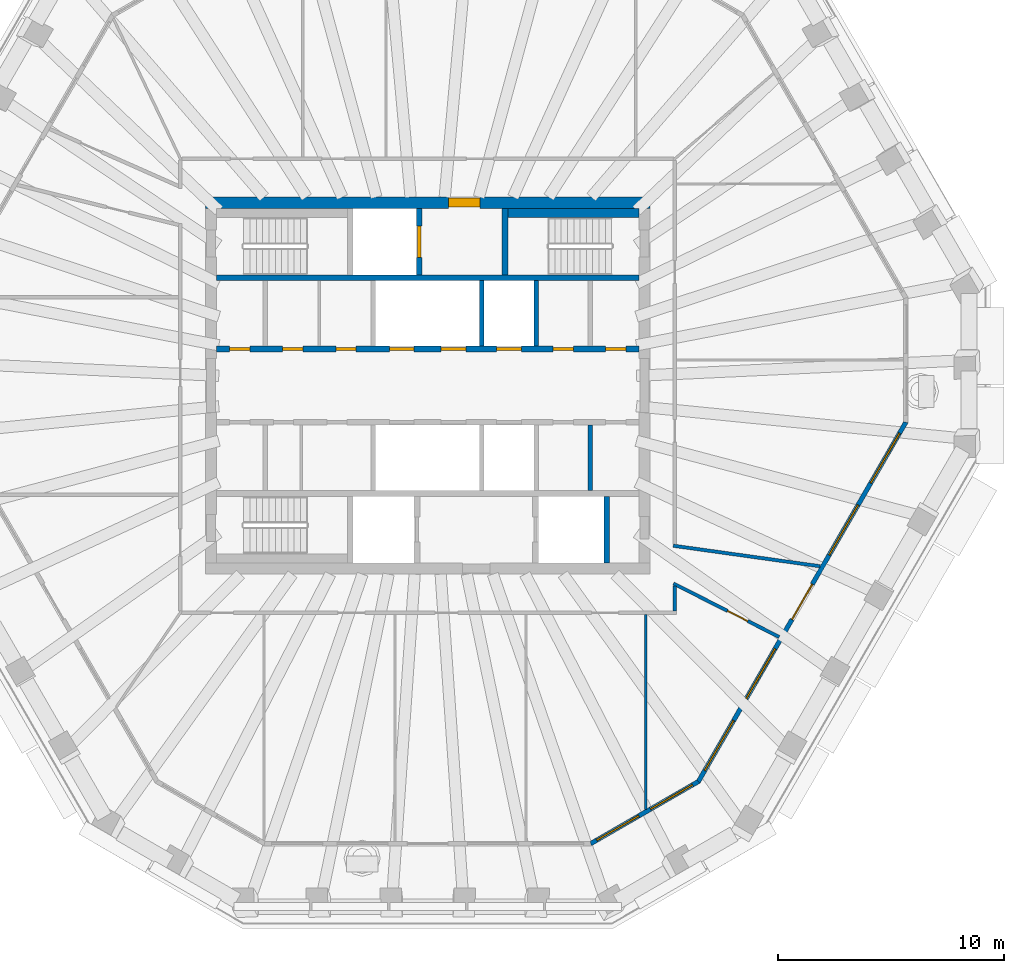
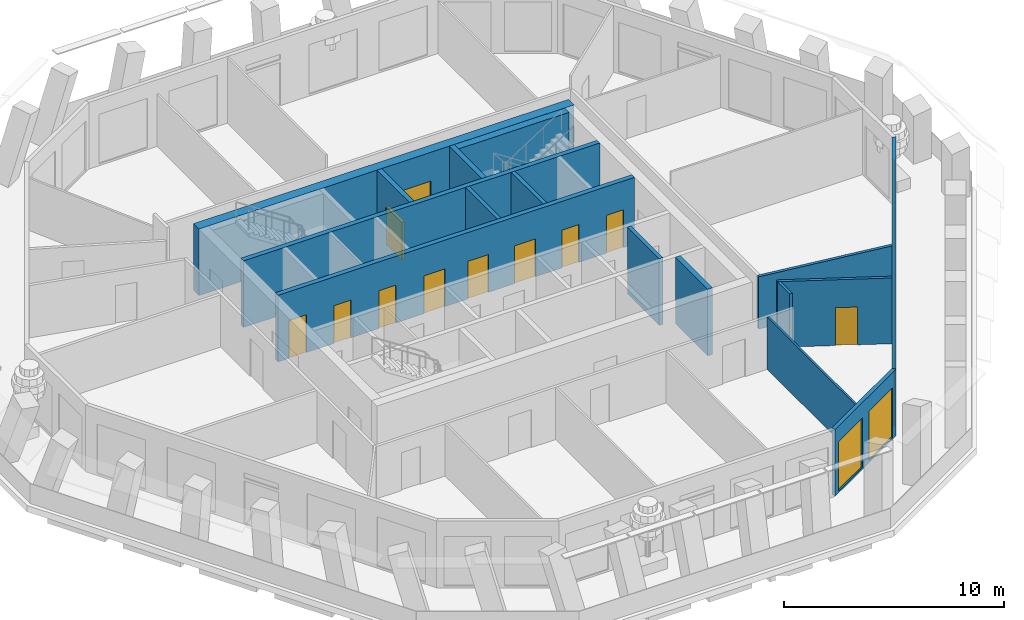
# One storey, part 5 of 11: 16 walls, 12 doors, 7 windows, 19 openings.
"""IFC4 building model written with IfcOpenShell, lengths in metres."""

from ifc_helpers import new_model, si_unit, direction, frame, frame_2d, origin, place, context, subcontext, project, spatial, polyline, rectangle, outline, extrude, material, layer, layer_set, type_object, element, fill, save


model = new_model("IFC4")

# Units and contexts
model_context = context("Model", 3, precision=1e-05, world=origin(), true_north=direction((0.0, 1.0)))
body_context = subcontext(model_context, "Body", "Model", "MODEL_VIEW")
ifc_project = project(units=[si_unit("LENGTHUNIT", "METRE"), si_unit("AREAUNIT", "SQUARE_METRE"), si_unit("VOLUMEUNIT", "CUBIC_METRE"), si_unit("PLANEANGLEUNIT", "RADIAN"), si_unit("MASSUNIT", "GRAM", prefix="KILO")], contexts=[model_context])

# Site, building, storey
site_placement = place(None, origin())
site = spatial("IfcSite", under=ifc_project, at=site_placement, CompositionType="ELEMENT")
building_placement = place(site_placement, origin())
building = spatial("IfcBuilding", under=site, at=building_placement, Name="Frailejon Research Tower", CompositionType="ELEMENT")
storey_placement = place(building_placement, frame((0.0, 0.0, 299.0)))
storey = spatial("IfcBuildingStorey", under=building, at=storey_placement, Name="L66", CompositionType="ELEMENT", Elevation=299.0)

# Wall, opening, door
ifc_material_1 = material(Name="Concrete C50/60", Category="concrete")
ifc_layer_1 = layer(ifc_material_1, 0.5)
ifc_layer_set_1 = layer_set([ifc_layer_1], Name="Core shear wall 500 C50/60")
wall_type_1 = type_object("IfcWallType", Name="Core shear wall 500 C50/60", PredefinedType="SHEAR", material=ifc_layer_set_1)
wall_1_placement = place(storey_placement, frame((-9.85009765625, 8.10009765625, 0.0), z_axis=(0.0, 0.0, 1.0), x_axis=(1.0, 0.0, 0.0)))
wall_1 = element("IfcWall", 1, at=wall_1_placement, inside=storey, type_object=wall_type_1, Name="Core shear wall", PredefinedType="SHEAR", context=body_context, shape_type="SweptSolid", body=[
    extrude(rectangle(XDim=19.7001953125, YDim=0.5, at=frame_2d((9.85009765625, 0.0))), origin(), (0.0, 0.0, 1.0), 3.699951171875),
])
opening_1_placement = place(wall_1_placement, frame((10.77490234375, 0.0, 0.0)))
opening_1 = element("IfcOpeningElement", 2, at=opening_1_placement, cuts=wall_1, Name="Opening D9", PredefinedType="OPENING", context=body_context, shape_type="SweptSolid", body=[
    extrude(rectangle(XDim=1.39990234375, YDim=2.10009765625, at=frame_2d((0.699951171875, 1.050048828125))), frame((0.0, 0.260009765625, 0.0), z_axis=(0.0, -1.0, 0.0), x_axis=(1.0, 0.0, 0.0)), (0.0, 0.0, 1.0), 0.52001953125),
])
ifc_material_2 = material(Name="Steel", Category="steel")
door_type_1 = type_object("IfcDoorType", Name="Goods lobby door", OperationType="DOUBLE_DOOR_SINGLE_SWING", PredefinedType="DOOR", material=ifc_material_2)
door_1_placement = place(opening_1_placement, origin())
door_1 = element("IfcDoor", 3, at=door_1_placement, inside=storey, type_object=door_type_1, Name="Goods lobby door", OperationType="DOUBLE_DOOR_SINGLE_SWING", OverallHeight=2.10009765625, OverallWidth=1.39990234375, PredefinedType="DOOR", context=body_context, shape_type="SweptSolid", body=[
    extrude(rectangle(XDim=1.39990234375, YDim=2.10009765625, at=frame_2d((0.699951171875, 1.050048828125))), frame((0.0, 0.199951171875, 0.0), z_axis=(0.0, -1.0, 0.0), x_axis=(1.0, 0.0, 0.0)), (0.0, 0.0, 1.0), 0.39990234375),
])
fill(opening_1, door_1)

# Wall
ifc_material_3 = material(Name="Gypsum board and masonry partition", Category="masonry")
ifc_layer_2 = layer(ifc_material_3, 0.14990234375)
ifc_layer_set_2 = layer_set([ifc_layer_2], Name="Corridor wall EI 60, gypsum on steel studs 150")
wall_type_2 = type_object("IfcWallType", Name="Corridor wall EI 60, gypsum on steel studs 150", PredefinedType="PARTITIONING", material=ifc_layer_set_2)
wall_2_placement = place(storey_placement, frame((10.949951171875, -9.97509765625, 0.0), z_axis=(0.0, 0.0, 1.0), x_axis=(0.0, 1.0, 0.0)))
element("IfcWall", 4, at=wall_2_placement, inside=storey, type_object=wall_type_2, Name="T:IW:L66:003", PredefinedType="PARTITIONING", context=body_context, shape_type="SweptSolid", body=[
    extrude(rectangle(XDim=1.10009765625, YDim=0.14990234375, at=frame_2d((0.550048828125, 0.0))), origin(), (0.0, 0.0, 1.0), 3.64990234375),
])

# Wall, opening, door
wall_3_placement = place(storey_placement, frame((10.883056640625, -8.76611328125, 0.0), z_axis=(0.0, 0.0, 1.0), x_axis=(0.892868658508, -0.450317175615, 0.0)))
wall_3 = element("IfcWall", 5, at=wall_3_placement, inside=storey, type_object=wall_type_2, Name="T:IW:L66:009", PredefinedType="PARTITIONING", context=body_context, shape_type="SweptSolid", body=[
    extrude(rectangle(XDim=5.250244140625, YDim=0.14990234375, at=frame_2d((2.625, 0.0))), origin(), (0.0, 0.0, 1.0), 3.64990234375),
])
opening_2_placement = place(wall_3_placement, frame((2.683837890625, 0.0, 0.0)))
opening_2 = element("IfcOpeningElement", 6, at=opening_2_placement, cuts=wall_3, Name="Opening D2279", PredefinedType="OPENING", context=body_context, shape_type="SweptSolid", body=[
    extrude(rectangle(XDim=1.0, YDim=2.10009765625, at=frame_2d((0.5, 1.050048828125))), frame((0.0, 0.0849609375, 0.0), z_axis=(0.0, -1.0, 0.0), x_axis=(1.0, 0.0, 0.0)), (0.0, 0.0, 1.0), 0.169921875),
])
ifc_material_4 = material(Name="Timber door leaf", Category="wood")
door_type_2 = type_object("IfcDoorType", Name="Door single leaf, timber, steel frame 1000", OperationType="NOTDEFINED", PredefinedType="DOOR", material=ifc_material_4)
door_2_placement = place(opening_2_placement, origin())
door_2 = element("IfcDoor", 7, at=door_2_placement, inside=storey, type_object=door_type_2, Name="D2279", OperationType="SINGLE_SWING_LEFT", OverallHeight=2.10009765625, OverallWidth=1.0, PredefinedType="DOOR", context=body_context, shape_type="SweptSolid", body=[
    extrude(rectangle(XDim=1.0, YDim=2.10009765625, at=frame_2d((0.5, 1.050048828125))), frame((0.0, 0.02490234375, 0.0), z_axis=(0.0, -1.0, 0.0), x_axis=(1.0, 0.0, 0.0)), (0.0, 0.0, 1.0), 0.050048828125),
])
fill(opening_2, door_2)

# Walls
wall_4_placement = place(storey_placement, frame((10.875732421875, -7.089599609375, 0.0), z_axis=(0.0, 0.0, 1.0), x_axis=(0.990351444624, -0.138578555814, 0.0)))
element("IfcWall", 8, at=wall_4_placement, inside=storey, type_object=wall_type_2, Name="T:IW:L66:010", PredefinedType="PARTITIONING", context=body_context, shape_type="SweptSolid", body=[
    extrude(rectangle(XDim=6.56591796875, YDim=0.14990234375, at=frame_2d((3.282958984375, 0.0))), origin(), (0.0, 0.0, 1.0), 2.89990234375),
])
ifc_material_5 = material(Name="Gypsum board and masonry partition", Category="masonry")
ifc_layer_3 = layer(ifc_material_5, 0.10009765625)
ifc_layer_set_3 = layer_set([ifc_layer_3], Name="Partition, gypsum on steel studs 100")
wall_type_3 = type_object("IfcWallType", Name="Partition, gypsum on steel studs 100", PredefinedType="PARTITIONING", material=ifc_layer_set_3)
wall_5_placement = place(storey_placement, frame((9.65869140625, -18.76123046875, 0.0), z_axis=(0.0, 0.0, 1.0), x_axis=(0.0, 1.0, 0.0)))
element("IfcWall", 9, at=wall_5_placement, inside=storey, type_object=wall_type_3, Name="T:IW:L66:024", PredefinedType="PARTITIONING", context=body_context, shape_type="SweptSolid", body=[
    extrude(rectangle(XDim=8.63623046875, YDim=0.10009765625, at=frame_2d((4.318115234375, 0.0))), origin(), (0.0, 0.0, 1.0), 2.89990234375),
])
ifc_material_6 = material(Name="Concrete C50/60", Category="concrete")
ifc_layer_4 = layer(ifc_material_6, 0.199951171875)
ifc_layer_set_4 = layer_set([ifc_layer_4], Name="Shaft wall 200 C50/60")
wall_type_4 = type_object("IfcWallType", Name="Shaft wall 200 C50/60", PredefinedType="SOLIDWALL", material=ifc_layer_set_4)
for number, where, z_axis, x_axis, name in (
    (10, (2.39990234375, 1.75, 0.0), (0.0, 0.0, 1.0), (0.0, 1.0, 0.0), "Shaft wall"),
    (11, (4.800048828125, 1.75, 0.0), (0.0, 0.0, 1.0), (0.0, 1.0, 0.0), "Shaft wall"),
    (12, (7.199951171875, -4.64990234375, 0.0), (0.0, 0.0, 1.0), (0.0, 1.0, 0.0), "Shaft wall"),
):
    element("IfcWall", number, at=place(storey_placement, frame(where, z_axis=z_axis, x_axis=x_axis)), inside=storey, type_object=wall_type_4, Name=name, PredefinedType="SOLIDWALL", context=body_context, shape_type="SweptSolid", body=[
        extrude(rectangle(XDim=2.89990234375, YDim=0.199951171875, at=frame_2d((1.449951171875, 0.0))), origin(), (0.0, 0.0, 1.0), 3.699951171875),
    ])

# Wall, openings, doors
ifc_material_7 = material(Name="Concrete C50/60", Category="concrete")
ifc_layer_5 = layer(ifc_material_7, 0.25)
ifc_layer_set_5 = layer_set([ifc_layer_5], Name="Shaft wall 250 C50/60")
wall_type_5 = type_object("IfcWallType", Name="Shaft wall 250 C50/60", PredefinedType="SOLIDWALL", material=ifc_layer_set_5)
wall_6_placement = place(storey_placement, frame((-9.35009765625, 1.625, 0.0), z_axis=(0.0, 0.0, 1.0), x_axis=(1.0, 0.0, 0.0)))
wall_6 = element("IfcWall", 13, at=wall_6_placement, inside=storey, type_object=wall_type_5, Name="Shaft wall", PredefinedType="SOLIDWALL", context=body_context, shape_type="SweptSolid", body=[
    extrude(rectangle(XDim=18.7001953125, YDim=0.25, at=frame_2d((9.35009765625, 0.0))), origin(), (0.0, 0.0, 1.0), 3.699951171875),
])
opening_3_placement = place(wall_6_placement, frame((7.64990234375, 0.0, 0.0)))
opening_3 = element("IfcOpeningElement", 14, at=opening_3_placement, cuts=wall_6, Name="Opening LD", PredefinedType="OPENING", context=body_context, shape_type="SweptSolid", body=[
    extrude(rectangle(XDim=1.10009765625, YDim=2.10009765625, at=frame_2d((0.550048828125, 1.050048828125))), frame((0.0, 0.135009765625, 0.0), z_axis=(0.0, -1.0, 0.0), x_axis=(1.0, 0.0, 0.0)), (0.0, 0.0, 1.0), 0.27001953125),
])
opening_4_placement = place(wall_6_placement, frame((9.949951171875, 0.0, 0.0)))
opening_4 = element("IfcOpeningElement", 15, at=opening_4_placement, cuts=wall_6, Name="Opening LD", PredefinedType="OPENING", context=body_context, shape_type="SweptSolid", body=[
    extrude(rectangle(XDim=1.10009765625, YDim=2.10009765625, at=frame_2d((0.550048828125, 1.050048828125))), frame((0.0, 0.135009765625, 0.0), z_axis=(0.0, -1.0, 0.0), x_axis=(1.0, 0.0, 0.0)), (0.0, 0.0, 1.0), 0.27001953125),
])
opening_5_placement = place(wall_6_placement, frame((12.39990234375, 0.0, 0.0)))
opening_5 = element("IfcOpeningElement", 16, at=opening_5_placement, cuts=wall_6, Name="Opening LD", PredefinedType="OPENING", context=body_context, shape_type="SweptSolid", body=[
    extrude(rectangle(XDim=1.10009765625, YDim=2.10009765625, at=frame_2d((0.550048828125, 1.050048828125))), frame((0.0, 0.135009765625, 0.0), z_axis=(0.0, -1.0, 0.0), x_axis=(1.0, 0.0, 0.0)), (0.0, 0.0, 1.0), 0.27001953125),
])
opening_6_placement = place(wall_6_placement, frame((0.574951171875, 0.0, 0.0)))
opening_6 = element("IfcOpeningElement", 17, at=opening_6_placement, cuts=wall_6, Name="Opening D8", PredefinedType="OPENING", context=body_context, shape_type="SweptSolid", body=[
    extrude(rectangle(XDim=0.89990234375, YDim=2.10009765625, at=frame_2d((0.449951171875, 1.050048828125))), frame((0.0, 0.135009765625, 0.0), z_axis=(0.0, -1.0, 0.0), x_axis=(1.0, 0.0, 0.0)), (0.0, 0.0, 1.0), 0.27001953125),
])
opening_7_placement = place(wall_6_placement, frame((2.918701171875, 0.0, 0.0)))
opening_7 = element("IfcOpeningElement", 18, at=opening_7_placement, cuts=wall_6, Name="Opening D8", PredefinedType="OPENING", context=body_context, shape_type="SweptSolid", body=[
    extrude(rectangle(XDim=0.89990234375, YDim=2.10009765625, at=frame_2d((0.449951171875, 1.050048828125))), frame((0.0, 0.135009765625, 0.0), z_axis=(0.0, -1.0, 0.0), x_axis=(1.0, 0.0, 0.0)), (0.0, 0.0, 1.0), 0.27001953125),
])
opening_8_placement = place(wall_6_placement, frame((5.28125, 0.0, 0.0)))
opening_8 = element("IfcOpeningElement", 19, at=opening_8_placement, cuts=wall_6, Name="Opening D8", PredefinedType="OPENING", context=body_context, shape_type="SweptSolid", body=[
    extrude(rectangle(XDim=0.89990234375, YDim=2.10009765625, at=frame_2d((0.449951171875, 1.050048828125))), frame((0.0, 0.135009765625, 0.0), z_axis=(0.0, -1.0, 0.0), x_axis=(1.0, 0.0, 0.0)), (0.0, 0.0, 1.0), 0.27001953125),
])
opening_9_placement = place(wall_6_placement, frame((14.89990234375, 0.0, 0.0)))
opening_9 = element("IfcOpeningElement", 20, at=opening_9_placement, cuts=wall_6, Name="Opening D8", PredefinedType="OPENING", context=body_context, shape_type="SweptSolid", body=[
    extrude(rectangle(XDim=0.89990234375, YDim=2.10009765625, at=frame_2d((0.449951171875, 1.050048828125))), frame((0.0, 0.135009765625, 0.0), z_axis=(0.0, -1.0, 0.0), x_axis=(1.0, 0.0, 0.0)), (0.0, 0.0, 1.0), 0.27001953125),
])
opening_10_placement = place(wall_6_placement, frame((17.22509765625, 0.0, 0.0)))
opening_10 = element("IfcOpeningElement", 21, at=opening_10_placement, cuts=wall_6, Name="Opening D8", PredefinedType="OPENING", context=body_context, shape_type="SweptSolid", body=[
    extrude(rectangle(XDim=0.89990234375, YDim=2.10009765625, at=frame_2d((0.449951171875, 1.050048828125))), frame((0.0, 0.135009765625, 0.0), z_axis=(0.0, -1.0, 0.0), x_axis=(1.0, 0.0, 0.0)), (0.0, 0.0, 1.0), 0.27001953125),
])
ifc_material_8 = material(Name="Steel", Category="steel")
door_type_3 = type_object("IfcDoorType", Name="Core room door", OperationType="SINGLE_SWING_LEFT", PredefinedType="DOOR", material=ifc_material_8)
door_3_placement = place(opening_6_placement, origin())
door_3 = element("IfcDoor", 22, at=door_3_placement, inside=storey, type_object=door_type_3, Name="Room door", OperationType="SINGLE_SWING_LEFT", OverallHeight=2.10009765625, OverallWidth=0.89990234375, PredefinedType="DOOR", context=body_context, shape_type="SweptSolid", body=[
    extrude(rectangle(XDim=0.89990234375, YDim=2.10009765625, at=frame_2d((0.449951171875, 1.050048828125))), frame((0.0, 0.074951171875, 0.0), z_axis=(0.0, -1.0, 0.0), x_axis=(1.0, 0.0, 0.0)), (0.0, 0.0, 1.0), 0.14990234375),
])
fill(opening_6, door_3)
door_4_placement = place(opening_7_placement, origin())
door_4 = element("IfcDoor", 23, at=door_4_placement, inside=storey, type_object=door_type_3, Name="Room door", OperationType="SINGLE_SWING_RIGHT", OverallHeight=2.10009765625, OverallWidth=0.89990234375, PredefinedType="DOOR", context=body_context, shape_type="SweptSolid", body=[
    extrude(rectangle(XDim=0.89990234375, YDim=2.10009765625, at=frame_2d((0.449951171875, 1.050048828125))), frame((0.0, 0.074951171875, 0.0), z_axis=(0.0, -1.0, 0.0), x_axis=(1.0, 0.0, 0.0)), (0.0, 0.0, 1.0), 0.14990234375),
])
fill(opening_7, door_4)
door_5_placement = place(opening_8_placement, origin())
door_5 = element("IfcDoor", 24, at=door_5_placement, inside=storey, type_object=door_type_3, Name="Room door", OperationType="SINGLE_SWING_LEFT", OverallHeight=2.10009765625, OverallWidth=0.89990234375, PredefinedType="DOOR", context=body_context, shape_type="SweptSolid", body=[
    extrude(rectangle(XDim=0.89990234375, YDim=2.10009765625, at=frame_2d((0.449951171875, 1.050048828125))), frame((0.0, 0.074951171875, 0.0), z_axis=(0.0, -1.0, 0.0), x_axis=(1.0, 0.0, 0.0)), (0.0, 0.0, 1.0), 0.14990234375),
])
fill(opening_8, door_5)
door_6_placement = place(opening_9_placement, origin())
door_6 = element("IfcDoor", 25, at=door_6_placement, inside=storey, type_object=door_type_3, Name="Room door", OperationType="SINGLE_SWING_RIGHT", OverallHeight=2.10009765625, OverallWidth=0.89990234375, PredefinedType="DOOR", context=body_context, shape_type="SweptSolid", body=[
    extrude(rectangle(XDim=0.89990234375, YDim=2.10009765625, at=frame_2d((0.449951171875, 1.050048828125))), frame((0.0, 0.074951171875, 0.0), z_axis=(0.0, -1.0, 0.0), x_axis=(1.0, 0.0, 0.0)), (0.0, 0.0, 1.0), 0.14990234375),
])
fill(opening_9, door_6)
door_7_placement = place(opening_10_placement, origin())
door_7 = element("IfcDoor", 26, at=door_7_placement, inside=storey, type_object=door_type_3, Name="Room door", OperationType="SINGLE_SWING_LEFT", OverallHeight=2.10009765625, OverallWidth=0.89990234375, PredefinedType="DOOR", context=body_context, shape_type="SweptSolid", body=[
    extrude(rectangle(XDim=0.89990234375, YDim=2.10009765625, at=frame_2d((0.449951171875, 1.050048828125))), frame((0.0, 0.074951171875, 0.0), z_axis=(0.0, -1.0, 0.0), x_axis=(1.0, 0.0, 0.0)), (0.0, 0.0, 1.0), 0.14990234375),
])
fill(opening_10, door_7)
ifc_material_9 = material(Name="Steel", Category="steel")
door_type_4 = type_object("IfcDoorType", Name="Lift landing door", OperationType="DOUBLE_DOOR_SLIDING", PredefinedType="DOOR", material=ifc_material_9)
door_8_placement = place(opening_3_placement, origin())
door_8 = element("IfcDoor", 27, at=door_8_placement, inside=storey, type_object=door_type_4, Name="Lift landing door", OperationType="DOUBLE_DOOR_SLIDING", OverallHeight=2.10009765625, OverallWidth=1.10009765625, PredefinedType="DOOR", context=body_context, shape_type="SweptSolid", body=[
    extrude(rectangle(XDim=1.10009765625, YDim=2.10009765625, at=frame_2d((0.550048828125, 1.050048828125))), frame((0.0, 0.074951171875, 0.0), z_axis=(0.0, -1.0, 0.0), x_axis=(1.0, 0.0, 0.0)), (0.0, 0.0, 1.0), 0.14990234375),
])
fill(opening_3, door_8)
door_9_placement = place(opening_4_placement, origin())
door_9 = element("IfcDoor", 28, at=door_9_placement, inside=storey, type_object=door_type_4, Name="Lift landing door", OperationType="DOUBLE_DOOR_SLIDING", OverallHeight=2.10009765625, OverallWidth=1.10009765625, PredefinedType="DOOR", context=body_context, shape_type="SweptSolid", body=[
    extrude(rectangle(XDim=1.10009765625, YDim=2.10009765625, at=frame_2d((0.550048828125, 1.050048828125))), frame((0.0, 0.074951171875, 0.0), z_axis=(0.0, -1.0, 0.0), x_axis=(1.0, 0.0, 0.0)), (0.0, 0.0, 1.0), 0.14990234375),
])
fill(opening_4, door_9)
door_10_placement = place(opening_5_placement, origin())
door_10 = element("IfcDoor", 29, at=door_10_placement, inside=storey, type_object=door_type_4, Name="Lift landing door", OperationType="DOUBLE_DOOR_SLIDING", OverallHeight=2.10009765625, OverallWidth=1.10009765625, PredefinedType="DOOR", context=body_context, shape_type="SweptSolid", body=[
    extrude(rectangle(XDim=1.10009765625, YDim=2.10009765625, at=frame_2d((0.550048828125, 1.050048828125))), frame((0.0, 0.074951171875, 0.0), z_axis=(0.0, -1.0, 0.0), x_axis=(1.0, 0.0, 0.0)), (0.0, 0.0, 1.0), 0.14990234375),
])
fill(opening_5, door_10)

# Wall
wall_7_placement = place(storey_placement, frame((-9.35009765625, 4.77490234375, 0.0), z_axis=(0.0, 0.0, 1.0), x_axis=(1.0, 0.0, 0.0)))
element("IfcWall", 30, at=wall_7_placement, inside=storey, type_object=wall_type_5, Name="Shaft wall", PredefinedType="SOLIDWALL", context=body_context, shape_type="SweptSolid", body=[
    extrude(rectangle(XDim=18.7001953125, YDim=0.25, at=frame_2d((9.35009765625, 0.0))), origin(), (0.0, 0.0, 1.0), 3.699951171875),
])

# Wall, opening, door
wall_8_placement = place(storey_placement, frame((-0.375, 4.89990234375, 0.0), z_axis=(0.0, 0.0, 1.0), x_axis=(0.0, 1.0, 0.0)))
wall_8 = element("IfcWall", 31, at=wall_8_placement, inside=storey, type_object=wall_type_5, Name="Shaft wall", PredefinedType="SOLIDWALL", context=body_context, shape_type="SweptSolid", body=[
    extrude(rectangle(XDim=2.9501953125, YDim=0.25, at=frame_2d((1.47509765625, 0.0))), origin(), (0.0, 0.0, 1.0), 3.699951171875),
])
opening_11_placement = place(wall_8_placement, frame((0.77490234375, 0.0, 0.0)))
opening_11 = element("IfcOpeningElement", 32, at=opening_11_placement, cuts=wall_8, Name="Opening LD2", PredefinedType="OPENING", context=body_context, shape_type="SweptSolid", body=[
    extrude(rectangle(XDim=1.39990234375, YDim=2.10009765625, at=frame_2d((0.699951171875, 1.050048828125))), frame((0.0, 0.135009765625, 0.0), z_axis=(0.0, -1.0, 0.0), x_axis=(1.0, 0.0, 0.0)), (0.0, 0.0, 1.0), 0.27001953125),
])
ifc_material_10 = material(Name="Stainless steel", Category="steel")
door_type_5 = type_object("IfcDoorType", Name="Goods landing door", OperationType="DOUBLE_DOOR_SLIDING", PredefinedType="DOOR", material=ifc_material_10)
door_11_placement = place(opening_11_placement, origin())
door_11 = element("IfcDoor", 33, at=door_11_placement, inside=storey, type_object=door_type_5, Name="Lift landing door", OperationType="DOUBLE_DOOR_SLIDING", OverallHeight=2.10009765625, OverallWidth=1.39990234375, PredefinedType="DOOR", context=body_context, shape_type="SweptSolid", body=[
    extrude(rectangle(XDim=1.39990234375, YDim=2.10009765625, at=frame_2d((0.699951171875, 1.050048828125))), frame((0.0, 0.074951171875, 0.0), z_axis=(0.0, -1.0, 0.0), x_axis=(1.0, 0.0, 0.0)), (0.0, 0.0, 1.0), 0.14990234375),
])
fill(opening_11, door_11)

# Walls
for number, where, z_axis, x_axis, name in (
    (34, (3.425048828125, 4.89990234375, 0.0), (0.0, 0.0, 1.0), (0.0, 1.0, 0.0), "Shaft wall"),
    (35, (7.925048828125, -7.85009765625, 0.0), (0.0, 0.0, 1.0), (0.0, 1.0, 0.0), "Shaft wall"),
):
    element("IfcWall", number, at=place(storey_placement, frame(where, z_axis=z_axis, x_axis=x_axis)), inside=storey, type_object=wall_type_5, Name=name, PredefinedType="SOLIDWALL", context=body_context, shape_type="SweptSolid", body=[
        extrude(rectangle(XDim=2.9501953125, YDim=0.25, at=frame_2d((1.47509765625, 0.0))), origin(), (0.0, 0.0, 1.0), 3.699951171875),
    ])
ifc_material_11 = material(Name="Concrete C50/60", Category="concrete")
ifc_layer_6 = layer(ifc_material_11, 0.39990234375)
ifc_layer_set_6 = layer_set([ifc_layer_6], Name="Shaft wall 400 C50/60")
wall_type_6 = type_object("IfcWallType", Name="Shaft wall 400 C50/60", PredefinedType="SOLIDWALL", material=ifc_layer_set_6)
wall_9_placement = place(storey_placement, frame((3.550048828125, 7.64990234375, 0.0), z_axis=(0.0, 0.0, 1.0), x_axis=(1.0, 0.0, 0.0)))
element("IfcWall", 36, at=wall_9_placement, inside=storey, type_object=wall_type_6, Name="Shaft wall", PredefinedType="SOLIDWALL", context=body_context, shape_type="SweptSolid", body=[
    extrude(rectangle(XDim=5.800048828125, YDim=0.39990234375, at=frame_2d((2.89990234375, 0.0))), origin(), (0.0, 0.0, 1.0), 3.699951171875),
])

# Wall, openings, windows
ifc_material_12 = material(Name="Concrete C40/50 precast window wall panel", Category="concrete")
ifc_layer_7 = layer(ifc_material_12, 0.199951171875)
ifc_layer_set_7 = layer_set([ifc_layer_7], Name="Window wall 200")
wall_type_7 = type_object("IfcWallType", Name="Window wall 200", PredefinedType="SOLIDWALL", material=ifc_layer_set_7)
wall_10_placement = place(storey_placement, frame((7.2255859375, -20.28125, 0.0), z_axis=(0.0, 0.0, 1.0), x_axis=(0.866026017613, 0.499998936816, 0.0)))
wall_10 = element("IfcWall", 37, at=wall_10_placement, inside=storey, type_object=wall_type_7, Name="Exterior wall L66", PredefinedType="SOLIDWALL", context=body_context, shape_type="SweptSolid", body=[
    extrude(outline(polyline([(-0.02685546875, -0.10009765625), (1.08447265625, -0.10009765625), (2.196044921875, -0.10009765625), (3.307373046875, -0.10009765625), (4.4189453125, -0.10009765625), (5.5302734375, -0.10009765625), (5.4765625, 0.10009765625), (4.38671875, 0.10009765625), (3.296630859375, 0.10009765625), (2.206787109375, 0.10009765625), (1.11669921875, 0.10009765625), (0.02685546875, 0.10009765625), (-0.02685546875, -0.10009765625)])), origin(), (0.0, 0.0, 1.0), 3.699951171875),
])
opening_12_placement = place(wall_10_placement, frame((0.30078125, 0.0, 0.10009765625)))
opening_12 = element("IfcOpeningElement", 38, at=opening_12_placement, cuts=wall_10, Name="Opening W22", PredefinedType="OPENING", context=body_context, shape_type="SweptSolid", body=[
    extrude(rectangle(XDim=2.14990234375, YDim=2.75, at=frame_2d((1.074951171875, 1.375))), frame((0.0, 0.10986328125, 0.0), z_axis=(0.0, -1.0, 0.0), x_axis=(1.0, 0.0, 0.0)), (0.0, 0.0, 1.0), 0.219970703125),
])
opening_13_placement = place(wall_10_placement, frame((3.052490234375, 0.0, 0.10009765625)))
opening_13 = element("IfcOpeningElement", 39, at=opening_13_placement, cuts=wall_10, Name="Opening W22", PredefinedType="OPENING", context=body_context, shape_type="SweptSolid", body=[
    extrude(rectangle(XDim=2.14990234375, YDim=2.75, at=frame_2d((1.074951171875, 1.375))), frame((0.0, 0.10986328125, 0.0), z_axis=(0.0, -1.0, 0.0), x_axis=(1.0, 0.0, 0.0)), (0.0, 0.0, 1.0), 0.219970703125),
])
ifc_material_13 = material(Name="Aluminium framed double glazing", Category="aluminium")
window_type_1 = type_object("IfcWindowType", Name="Window 2150x2750", PartitioningType="SINGLE_PANEL", PredefinedType="WINDOW", material=ifc_material_13)
window_1_placement = place(opening_12_placement, origin())
window_1 = element("IfcWindow", 40, at=window_1_placement, inside=storey, type_object=window_type_1, Name="Window L66", OverallHeight=2.75, OverallWidth=2.14990234375, PartitioningType="SINGLE_PANEL", PredefinedType="WINDOW", context=body_context, shape_type="SweptSolid", body=[
    extrude(rectangle(XDim=2.14990234375, YDim=2.75, at=frame_2d((1.074951171875, 1.375))), frame((0.0, 0.030029296875, 0.0), z_axis=(0.0, -1.0, 0.0), x_axis=(1.0, 0.0, 0.0)), (0.0, 0.0, 1.0), 0.06005859375),
])
fill(opening_12, window_1)
window_2_placement = place(opening_13_placement, origin())
window_2 = element("IfcWindow", 41, at=window_2_placement, inside=storey, type_object=window_type_1, Name="Window L66", OverallHeight=2.75, OverallWidth=2.14990234375, PartitioningType="SINGLE_PANEL", PredefinedType="WINDOW", context=body_context, shape_type="SweptSolid", body=[
    extrude(rectangle(XDim=2.14990234375, YDim=2.75, at=frame_2d((1.074951171875, 1.375))), frame((0.0, 0.030029296875, 0.0), z_axis=(0.0, -1.0, 0.0), x_axis=(1.0, 0.0, 0.0)), (0.0, 0.0, 1.0), 0.06005859375),
])
fill(opening_13, window_2)

# Wall, openings, door, windows
wall_11_placement = place(storey_placement, frame((11.99169921875, -17.529541015625, 0.0), z_axis=(0.0, 0.0, 1.0), x_axis=(0.50000545275, 0.866022255615, 0.0)))
wall_11 = element("IfcWall", 42, at=wall_11_placement, inside=storey, type_object=wall_type_7, Name="Exterior wall L66", PredefinedType="SOLIDWALL", context=body_context, shape_type="SweptSolid", body=[
    extrude(outline(polyline([(-0.02685546875, -0.10009765625), (0.99658203125, -0.10009765625), (2.020263671875, -0.10009765625), (3.0439453125, -0.10009765625), (4.0673828125, -0.10009765625), (5.0908203125, -0.10009765625), (6.114501953125, -0.10009765625), (7.13818359375, -0.10009765625), (8.16162109375, -0.10009765625), (9.18505859375, -0.10009765625), (10.208740234375, -0.10009765625), (11.232421875, -0.10009765625), (12.255859375, -0.10009765625), (13.279296875, -0.10009765625), (14.302978515625, -0.10009765625), (15.32666015625, -0.10009765625), (16.35009765625, -0.10009765625), (17.37353515625, -0.10009765625), (18.397216796875, -0.10009765625), (18.343505859375, 0.10009765625), (17.325927734375, 0.10009765625), (16.308349609375, 0.10009765625), (15.290771484375, 0.10009765625), (14.273193359375, 0.10009765625), (13.255615234375, 0.10009765625), (12.238037109375, 0.10009765625), (11.220458984375, 0.10009765625), (10.202880859375, 0.10009765625), (9.18505859375, 0.10009765625), (8.16748046875, 0.10009765625), (7.14990234375, 0.10009765625), (6.13232421875, 0.10009765625), (5.11474609375, 0.10009765625), (4.09716796875, 0.10009765625), (3.07958984375, 0.10009765625), (2.06201171875, 0.10009765625), (1.04443359375, 0.10009765625), (0.02685546875, 0.10009765625), (-0.02685546875, -0.10009765625)])), origin(), (0.0, 0.0, 1.0), 3.699951171875),
])
opening_14_placement = place(wall_11_placement, frame((0.56201171875, 0.0, 0.10009765625)))
opening_14 = element("IfcOpeningElement", 43, at=opening_14_placement, cuts=wall_11, Name="Opening W25", PredefinedType="OPENING", context=body_context, shape_type="SweptSolid", body=[
    extrude(rectangle(XDim=2.550048828125, YDim=2.75, at=frame_2d((1.27490234375, 1.375))), frame((0.0, 0.10986328125, 0.0), z_axis=(0.0, -1.0, 0.0), x_axis=(1.0, 0.0, 0.0)), (0.0, 0.0, 1.0), 0.219970703125),
])
opening_15_placement = place(wall_11_placement, frame((4.236083984375, 0.0, 0.10009765625)))
opening_15 = element("IfcOpeningElement", 44, at=opening_15_placement, cuts=wall_11, Name="Opening W25", PredefinedType="OPENING", context=body_context, shape_type="SweptSolid", body=[
    extrude(rectangle(XDim=2.550048828125, YDim=2.75, at=frame_2d((1.27490234375, 1.375))), frame((0.0, 0.10986328125, 0.0), z_axis=(0.0, -1.0, 0.0), x_axis=(1.0, 0.0, 0.0)), (0.0, 0.0, 1.0), 0.219970703125),
])
opening_16_placement = place(wall_11_placement, frame((8.28515625, 0.0, 0.0)))
opening_16 = element("IfcOpeningElement", 45, at=opening_16_placement, cuts=wall_11, Name="Opening LG66-6", PredefinedType="OPENING", context=body_context, shape_type="SweptSolid", body=[
    extrude(rectangle(XDim=1.800048828125, YDim=2.39990234375, at=frame_2d((0.89990234375, 1.199951171875))), frame((0.0, 0.10986328125, 0.0), z_axis=(0.0, -1.0, 0.0), x_axis=(1.0, 0.0, 0.0)), (0.0, 0.0, 1.0), 0.219970703125),
])
opening_17_placement = place(wall_11_placement, frame((8.28515625, 0.0, 2.550048828125)))
opening_17 = element("IfcOpeningElement", 46, at=opening_17_placement, cuts=wall_11, Name="Opening W24", PredefinedType="OPENING", context=body_context, shape_type="SweptSolid", body=[
    extrude(rectangle(XDim=1.800048828125, YDim=0.300048828125, at=frame_2d((0.89990234375, 0.14990234375))), frame((0.0, 0.10986328125, 0.0), z_axis=(0.0, -1.0, 0.0), x_axis=(1.0, 0.0, 0.0)), (0.0, 0.0, 1.0), 0.219970703125),
])
opening_18_placement = place(wall_11_placement, frame((11.584228515625, 0.0, 0.10009765625)))
opening_18 = element("IfcOpeningElement", 47, at=opening_18_placement, cuts=wall_11, Name="Opening W25", PredefinedType="OPENING", context=body_context, shape_type="SweptSolid", body=[
    extrude(rectangle(XDim=2.550048828125, YDim=2.75, at=frame_2d((1.27490234375, 1.375))), frame((0.0, 0.10986328125, 0.0), z_axis=(0.0, -1.0, 0.0), x_axis=(1.0, 0.0, 0.0)), (0.0, 0.0, 1.0), 0.219970703125),
])
opening_19_placement = place(wall_11_placement, frame((15.25830078125, 0.0, 0.10009765625)))
opening_19 = element("IfcOpeningElement", 48, at=opening_19_placement, cuts=wall_11, Name="Opening W25", PredefinedType="OPENING", context=body_context, shape_type="SweptSolid", body=[
    extrude(rectangle(XDim=2.550048828125, YDim=2.75, at=frame_2d((1.27490234375, 1.375))), frame((0.0, 0.10986328125, 0.0), z_axis=(0.0, -1.0, 0.0), x_axis=(1.0, 0.0, 0.0)), (0.0, 0.0, 1.0), 0.219970703125),
])
ifc_material_14 = material(Name="Aluminium framed glazed door leaf", Category="aluminium")
door_type_6 = type_object("IfcDoorType", Name="Loggia door 1800x2400", OperationType="DOUBLE_DOOR_SINGLE_SWING", PredefinedType="DOOR", material=ifc_material_14)
door_12_placement = place(opening_16_placement, origin())
door_12 = element("IfcDoor", 49, at=door_12_placement, inside=storey, type_object=door_type_6, Name="Door LG66-6", OperationType="DOUBLE_DOOR_SINGLE_SWING", OverallHeight=2.39990234375, OverallWidth=1.800048828125, PredefinedType="DOOR", context=body_context, shape_type="SweptSolid", body=[
    extrude(rectangle(XDim=1.800048828125, YDim=2.39990234375, at=frame_2d((0.89990234375, 1.199951171875))), frame((0.0, 0.02490234375, 0.0), z_axis=(0.0, -1.0, 0.0), x_axis=(1.0, 0.0, 0.0)), (0.0, 0.0, 1.0), 0.050048828125),
])
fill(opening_16, door_12)
ifc_material_15 = material(Name="Aluminium framed double glazing", Category="aluminium")
window_type_2 = type_object("IfcWindowType", Name="Window 1800x300", PartitioningType="SINGLE_PANEL", PredefinedType="WINDOW", material=ifc_material_15)
window_3_placement = place(opening_17_placement, origin())
window_3 = element("IfcWindow", 50, at=window_3_placement, inside=storey, type_object=window_type_2, Name="Window L66", OverallHeight=0.300048828125, OverallWidth=1.800048828125, PartitioningType="SINGLE_PANEL", PredefinedType="WINDOW", context=body_context, shape_type="SweptSolid", body=[
    extrude(rectangle(XDim=1.800048828125, YDim=0.300048828125, at=frame_2d((0.89990234375, 0.14990234375))), frame((0.0, 0.030029296875, 0.0), z_axis=(0.0, -1.0, 0.0), x_axis=(1.0, 0.0, 0.0)), (0.0, 0.0, 1.0), 0.06005859375),
])
fill(opening_17, window_3)
ifc_material_16 = material(Name="Aluminium framed double glazing", Category="aluminium")
window_type_3 = type_object("IfcWindowType", Name="Window 2550x2750", PartitioningType="SINGLE_PANEL", PredefinedType="WINDOW", material=ifc_material_16)
window_4_placement = place(opening_14_placement, origin())
window_4 = element("IfcWindow", 51, at=window_4_placement, inside=storey, type_object=window_type_3, Name="Window L66", OverallHeight=2.75, OverallWidth=2.550048828125, PartitioningType="SINGLE_PANEL", PredefinedType="WINDOW", context=body_context, shape_type="SweptSolid", body=[
    extrude(rectangle(XDim=2.550048828125, YDim=2.75, at=frame_2d((1.27490234375, 1.375))), frame((0.0, 0.030029296875, 0.0), z_axis=(0.0, -1.0, 0.0), x_axis=(1.0, 0.0, 0.0)), (0.0, 0.0, 1.0), 0.06005859375),
])
fill(opening_14, window_4)
window_5_placement = place(opening_15_placement, origin())
window_5 = element("IfcWindow", 52, at=window_5_placement, inside=storey, type_object=window_type_3, Name="Window L66", OverallHeight=2.75, OverallWidth=2.550048828125, PartitioningType="SINGLE_PANEL", PredefinedType="WINDOW", context=body_context, shape_type="SweptSolid", body=[
    extrude(rectangle(XDim=2.550048828125, YDim=2.75, at=frame_2d((1.27490234375, 1.375))), frame((0.0, 0.030029296875, 0.0), z_axis=(0.0, -1.0, 0.0), x_axis=(1.0, 0.0, 0.0)), (0.0, 0.0, 1.0), 0.06005859375),
])
fill(opening_15, window_5)
window_6_placement = place(opening_18_placement, origin())
window_6 = element("IfcWindow", 53, at=window_6_placement, inside=storey, type_object=window_type_3, Name="Window L66", OverallHeight=2.75, OverallWidth=2.550048828125, PartitioningType="SINGLE_PANEL", PredefinedType="WINDOW", context=body_context, shape_type="SweptSolid", body=[
    extrude(rectangle(XDim=2.550048828125, YDim=2.75, at=frame_2d((1.27490234375, 1.375))), frame((0.0, 0.030029296875, 0.0), z_axis=(0.0, -1.0, 0.0), x_axis=(1.0, 0.0, 0.0)), (0.0, 0.0, 1.0), 0.06005859375),
])
fill(opening_18, window_6)
window_7_placement = place(opening_19_placement, origin())
window_7 = element("IfcWindow", 54, at=window_7_placement, inside=storey, type_object=window_type_3, Name="Window L66", OverallHeight=2.75, OverallWidth=2.550048828125, PartitioningType="SINGLE_PANEL", PredefinedType="WINDOW", context=body_context, shape_type="SweptSolid", body=[
    extrude(rectangle(XDim=2.550048828125, YDim=2.75, at=frame_2d((1.27490234375, 1.375))), frame((0.0, 0.030029296875, 0.0), z_axis=(0.0, -1.0, 0.0), x_axis=(1.0, 0.0, 0.0)), (0.0, 0.0, 1.0), 0.06005859375),
])
fill(opening_19, window_7)

save(model, "model.ifc")
